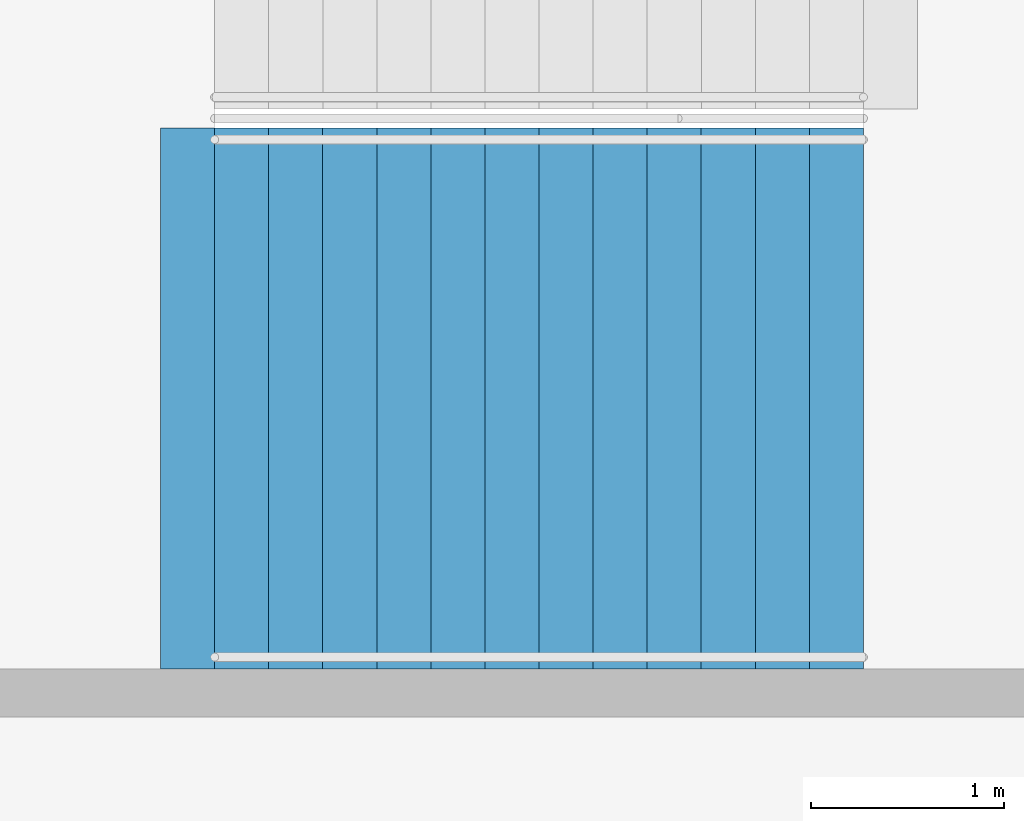
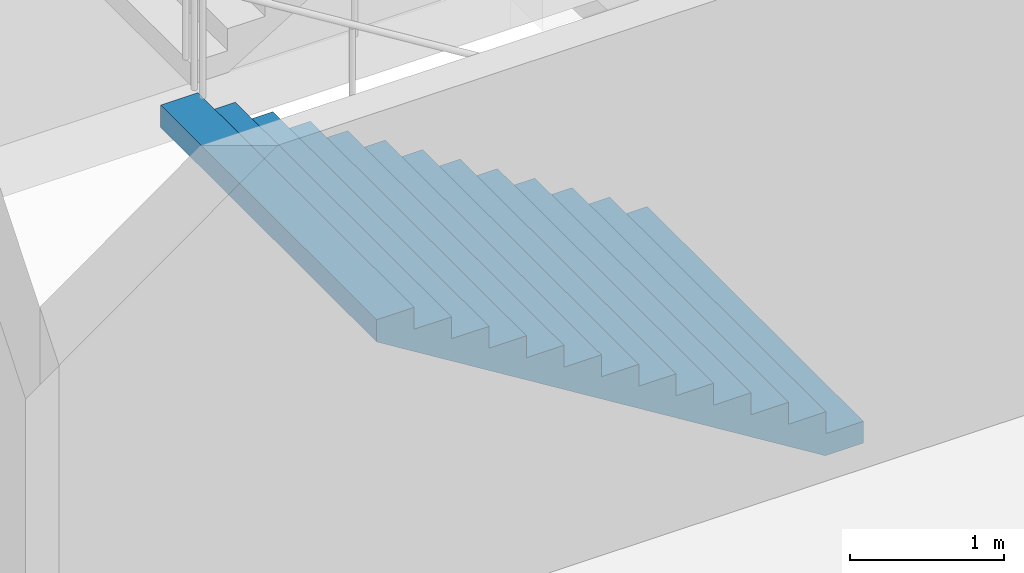
# One storey, part 94 of 177: 1 stair flight, 1 element without a shape of its own.
"""IFC4 building model written with IfcOpenShell, lengths in metres."""

from ifc_helpers import new_model, si_unit, direction, frame, origin, place, context, subcontext, project, spatial, faceted_brep, material, type_object, element, aggregate, save


model = new_model("IFC4")

# Units and contexts
model_context = context("Model", 3, precision=1e-05, world=origin(), true_north=direction((0.0, 1.0)))
body_context = subcontext(model_context, "Body", "Model", "MODEL_VIEW")
ifc_project = project(units=[si_unit("LENGTHUNIT", "METRE"), si_unit("AREAUNIT", "SQUARE_METRE"), si_unit("VOLUMEUNIT", "CUBIC_METRE"), si_unit("PLANEANGLEUNIT", "RADIAN"), si_unit("MASSUNIT", "GRAM", prefix="KILO")], contexts=[model_context])

# Site, building, storey
site_placement = place(None, origin())
site = spatial("IfcSite", under=ifc_project, at=site_placement, CompositionType="ELEMENT")
building_placement = place(site_placement, origin())
building = spatial("IfcBuilding", under=site, at=building_placement, Name="Ogive Plaza Stadium", CompositionType="ELEMENT")
storey_placement = place(building_placement, frame((0.0, 0.0, 18.0)))
storey = spatial("IfcBuildingStorey", under=building, at=storey_placement, Name="L04", CompositionType="ELEMENT", Elevation=18.0)

# Stair, stair flight
ifc_material_1 = material(Name="Concrete C40/50", Category="concrete")
stair_type = type_object("IfcStairType", Name="Exit stair", PredefinedType="STRAIGHT_RUN_STAIR", material=ifc_material_1)
stair_placement = place(storey_placement, origin())
stair = element("IfcStair", 1, at=stair_placement, inside=storey, type_object=stair_type, Name="Exit stair ST22B L04 to L05", PredefinedType="STRAIGHT_RUN_STAIR")
ifc_material_2 = material(Name="Concrete C40/50", Category="concrete")
stair_flight_type = type_object("IfcStairFlightType", Name="Exit stair flight", PredefinedType="STRAIGHT", material=ifc_material_2)
stair_flight_placement = place(storey_placement, frame((-76.35009765625, -41.925048828125, 0.0), z_axis=(0.0, 0.0, 1.0), x_axis=(-1.0, 0.0, 0.0)))
stair_flight = element("IfcStairFlight", 2, at=stair_flight_placement, type_object=stair_flight_type, Name="ST22B flight 1", NumberOfRisers=13, NumberOfTreads=12, PredefinedType="STRAIGHT", RiserHeight=0.173076923, TreadLength=0.28, context=body_context, shape_type="Brep", body=[
    faceted_brep([(0.28515625, -1.39990234375, 0.0), (3.639892578125, -1.39990234375, 2.07373046875), (3.639892578125, -1.39990234375, 2.25), (3.360107421875, -1.39990234375, 2.25), (3.360107421875, -1.39990234375, 2.076904296875), (3.080078125, -1.39990234375, 2.076904296875), (3.080078125, -1.39990234375, 1.90380859375), (2.800048828125, -1.39990234375, 1.90380859375), (2.800048828125, -1.39990234375, 1.730712890625), (2.52001953125, -1.39990234375, 1.730712890625), (2.52001953125, -1.39990234375, 1.5576171875), (2.239990234375, -1.39990234375, 1.5576171875), (2.239990234375, -1.39990234375, 1.384521484375), (1.9599609375, -1.39990234375, 1.384521484375), (1.9599609375, -1.39990234375, 1.21142578125), (1.679931640625, -1.39990234375, 1.21142578125), (1.679931640625, -1.39990234375, 1.03857421875), (1.39990234375, -1.39990234375, 1.03857421875), (1.39990234375, -1.39990234375, 0.865478515625), (1.1201171875, -1.39990234375, 0.865478515625), (1.1201171875, -1.39990234375, 0.6923828125), (0.840087890625, -1.39990234375, 0.6923828125), (0.840087890625, -1.39990234375, 0.519287109375), (0.56005859375, -1.39990234375, 0.519287109375), (0.56005859375, -1.39990234375, 0.34619140625), (0.280029296875, -1.39990234375, 0.34619140625), (0.280029296875, -1.39990234375, 0.173095703125), (0.0, -1.39990234375, 0.173095703125), (0.0, -1.39990234375, 0.0), (0.0, 1.39990234375, 0.0), (0.0, 1.39990234375, 0.173095703125), (0.280029296875, 1.39990234375, 0.173095703125), (0.280029296875, 1.39990234375, 0.34619140625), (0.56005859375, 1.39990234375, 0.34619140625), (0.56005859375, 1.39990234375, 0.519287109375), (0.840087890625, 1.39990234375, 0.519287109375), (0.840087890625, 1.39990234375, 0.6923828125), (1.1201171875, 1.39990234375, 0.6923828125), (1.1201171875, 1.39990234375, 0.865478515625), (1.39990234375, 1.39990234375, 0.865478515625), (1.39990234375, 1.39990234375, 1.03857421875), (1.679931640625, 1.39990234375, 1.03857421875), (1.679931640625, 1.39990234375, 1.21142578125), (1.9599609375, 1.39990234375, 1.21142578125), (1.9599609375, 1.39990234375, 1.384521484375), (2.239990234375, 1.39990234375, 1.384521484375), (2.239990234375, 1.39990234375, 1.5576171875), (2.52001953125, 1.39990234375, 1.5576171875), (2.52001953125, 1.39990234375, 1.730712890625), (2.800048828125, 1.39990234375, 1.730712890625), (2.800048828125, 1.39990234375, 1.90380859375), (3.080078125, 1.39990234375, 1.90380859375), (3.080078125, 1.39990234375, 2.076904296875), (3.360107421875, 1.39990234375, 2.076904296875), (3.360107421875, 1.39990234375, 2.25), (3.639892578125, 1.39990234375, 2.25), (3.639892578125, 1.39990234375, 2.07373046875), (0.28515625, 1.39990234375, 0.0), (0.28515625, -1.0888671875, 0.0), (3.639892578125, -1.0888671875, 2.07373046875), (0.28515625, -0.77783203125, 0.0), (3.639892578125, -0.77783203125, 2.07373046875), (0.28515625, -0.466796875, 0.0), (3.639892578125, -0.466796875, 2.07373046875), (0.28515625, -0.155517578125, 0.0), (3.639892578125, -0.155517578125, 2.07373046875), (0.28515625, 0.155517578125, 0.0), (3.639892578125, 0.155517578125, 2.07373046875), (0.28515625, 0.466796875, 0.0), (3.639892578125, 0.466796875, 2.07373046875), (0.28515625, 0.77783203125, 0.0), (3.639892578125, 0.77783203125, 2.07373046875), (0.28515625, 1.0888671875, 0.0), (3.639892578125, 1.0888671875, 2.07373046875), (3.639892578125, -1.0888671875, 2.25), (3.639892578125, -0.77783203125, 2.25), (3.639892578125, -0.466796875, 2.25), (3.639892578125, -0.155517578125, 2.25), (3.639892578125, 0.155517578125, 2.25), (3.639892578125, 0.466796875, 2.25), (3.639892578125, 0.77783203125, 2.25), (3.639892578125, 1.0888671875, 2.25), (3.360107421875, -1.0888671875, 2.25), (3.360107421875, -0.77783203125, 2.25), (3.360107421875, -0.466796875, 2.25), (3.360107421875, -0.155517578125, 2.25), (3.360107421875, 0.155517578125, 2.25), (3.360107421875, 0.466796875, 2.25), (3.360107421875, 0.77783203125, 2.25), (3.360107421875, 1.0888671875, 2.25), (3.360107421875, -1.0888671875, 2.076904296875), (3.360107421875, -0.77783203125, 2.076904296875), (3.360107421875, -0.466796875, 2.076904296875), (3.360107421875, -0.155517578125, 2.076904296875), (3.360107421875, 0.155517578125, 2.076904296875), (3.360107421875, 0.466796875, 2.076904296875), (3.360107421875, 0.77783203125, 2.076904296875), (3.360107421875, 1.0888671875, 2.076904296875), (3.080078125, -1.0888671875, 2.076904296875), (3.080078125, -0.77783203125, 2.076904296875), (3.080078125, -0.466796875, 2.076904296875), (3.080078125, -0.155517578125, 2.076904296875), (3.080078125, 0.155517578125, 2.076904296875), (3.080078125, 0.466796875, 2.076904296875), (3.080078125, 0.77783203125, 2.076904296875), (3.080078125, 1.0888671875, 2.076904296875), (3.080078125, -1.0888671875, 1.90380859375), (3.080078125, -0.77783203125, 1.90380859375), (3.080078125, -0.466796875, 1.90380859375), (3.080078125, -0.155517578125, 1.90380859375), (3.080078125, 0.155517578125, 1.90380859375), (3.080078125, 0.466796875, 1.90380859375), (3.080078125, 0.77783203125, 1.90380859375), (3.080078125, 1.0888671875, 1.90380859375), (2.800048828125, -1.0888671875, 1.90380859375), (2.800048828125, -0.77783203125, 1.90380859375), (2.800048828125, -0.466796875, 1.90380859375), (2.800048828125, -0.155517578125, 1.90380859375), (2.800048828125, 0.155517578125, 1.90380859375), (2.800048828125, 0.466796875, 1.90380859375), (2.800048828125, 0.77783203125, 1.90380859375), (2.800048828125, 1.0888671875, 1.90380859375), (2.800048828125, -1.0888671875, 1.730712890625), (2.800048828125, -0.77783203125, 1.730712890625), (2.800048828125, -0.466796875, 1.730712890625), (2.800048828125, -0.155517578125, 1.730712890625), (2.800048828125, 0.155517578125, 1.730712890625), (2.800048828125, 0.466796875, 1.730712890625), (2.800048828125, 0.77783203125, 1.730712890625), (2.800048828125, 1.0888671875, 1.730712890625), (2.52001953125, -1.0888671875, 1.730712890625), (2.52001953125, -0.77783203125, 1.730712890625), (2.52001953125, -0.466796875, 1.730712890625), (2.52001953125, -0.155517578125, 1.730712890625), (2.52001953125, 0.155517578125, 1.730712890625), (2.52001953125, 0.466796875, 1.730712890625), (2.52001953125, 0.77783203125, 1.730712890625), (2.52001953125, 1.0888671875, 1.730712890625), (2.52001953125, -1.0888671875, 1.5576171875), (2.52001953125, -0.77783203125, 1.5576171875), (2.52001953125, -0.466796875, 1.5576171875), (2.52001953125, -0.155517578125, 1.5576171875), (2.52001953125, 0.155517578125, 1.5576171875), (2.52001953125, 0.466796875, 1.5576171875), (2.52001953125, 0.77783203125, 1.5576171875), (2.52001953125, 1.0888671875, 1.5576171875), (2.239990234375, -1.0888671875, 1.5576171875), (2.239990234375, -0.77783203125, 1.5576171875), (2.239990234375, -0.466796875, 1.5576171875), (2.239990234375, -0.155517578125, 1.5576171875), (2.239990234375, 0.155517578125, 1.5576171875), (2.239990234375, 0.466796875, 1.5576171875), (2.239990234375, 0.77783203125, 1.5576171875), (2.239990234375, 1.0888671875, 1.5576171875), (2.239990234375, -1.0888671875, 1.384521484375), (2.239990234375, -0.77783203125, 1.384521484375), (2.239990234375, -0.466796875, 1.384521484375), (2.239990234375, -0.155517578125, 1.384521484375), (2.239990234375, 0.155517578125, 1.384521484375), (2.239990234375, 0.466796875, 1.384521484375), (2.239990234375, 0.77783203125, 1.384521484375), (2.239990234375, 1.0888671875, 1.384521484375), (1.9599609375, -1.0888671875, 1.384521484375), (1.9599609375, -0.77783203125, 1.384521484375), (1.9599609375, -0.466796875, 1.384521484375), (1.9599609375, -0.155517578125, 1.384521484375), (1.9599609375, 0.155517578125, 1.384521484375), (1.9599609375, 0.466796875, 1.384521484375), (1.9599609375, 0.77783203125, 1.384521484375), (1.9599609375, 1.0888671875, 1.384521484375), (1.9599609375, -1.0888671875, 1.21142578125), (1.9599609375, -0.77783203125, 1.21142578125), (1.9599609375, -0.466796875, 1.21142578125), (1.9599609375, -0.155517578125, 1.21142578125), (1.9599609375, 0.155517578125, 1.21142578125), (1.9599609375, 0.466796875, 1.21142578125), (1.9599609375, 0.77783203125, 1.21142578125), (1.9599609375, 1.0888671875, 1.21142578125), (1.679931640625, -1.0888671875, 1.21142578125), (1.679931640625, -0.77783203125, 1.21142578125), (1.679931640625, -0.466796875, 1.21142578125), (1.679931640625, -0.155517578125, 1.21142578125), (1.679931640625, 0.155517578125, 1.21142578125), (1.679931640625, 0.466796875, 1.21142578125), (1.679931640625, 0.77783203125, 1.21142578125), (1.679931640625, 1.0888671875, 1.21142578125), (1.679931640625, -1.0888671875, 1.03857421875), (1.679931640625, -0.77783203125, 1.03857421875), (1.679931640625, -0.466796875, 1.03857421875), (1.679931640625, -0.155517578125, 1.03857421875), (1.679931640625, 0.155517578125, 1.03857421875), (1.679931640625, 0.466796875, 1.03857421875), (1.679931640625, 0.77783203125, 1.03857421875), (1.679931640625, 1.0888671875, 1.03857421875), (1.39990234375, -1.0888671875, 1.03857421875), (1.39990234375, -0.77783203125, 1.03857421875), (1.39990234375, -0.466796875, 1.03857421875), (1.39990234375, -0.155517578125, 1.03857421875), (1.39990234375, 0.155517578125, 1.03857421875), (1.39990234375, 0.466796875, 1.03857421875), (1.39990234375, 0.77783203125, 1.03857421875), (1.39990234375, 1.0888671875, 1.03857421875), (1.39990234375, -1.0888671875, 0.865478515625), (1.39990234375, -0.77783203125, 0.865478515625), (1.39990234375, -0.466796875, 0.865478515625), (1.39990234375, -0.155517578125, 0.865478515625), (1.39990234375, 0.155517578125, 0.865478515625), (1.39990234375, 0.466796875, 0.865478515625), (1.39990234375, 0.77783203125, 0.865478515625), (1.39990234375, 1.0888671875, 0.865478515625), (1.1201171875, -1.0888671875, 0.865478515625), (1.1201171875, -0.77783203125, 0.865478515625), (1.1201171875, -0.466796875, 0.865478515625), (1.1201171875, -0.155517578125, 0.865478515625), (1.1201171875, 0.155517578125, 0.865478515625), (1.1201171875, 0.466796875, 0.865478515625), (1.1201171875, 0.77783203125, 0.865478515625), (1.1201171875, 1.0888671875, 0.865478515625), (1.1201171875, -1.0888671875, 0.6923828125), (1.1201171875, -0.77783203125, 0.6923828125), (1.1201171875, -0.466796875, 0.6923828125), (1.1201171875, -0.155517578125, 0.6923828125), (1.1201171875, 0.155517578125, 0.6923828125), (1.1201171875, 0.466796875, 0.6923828125), (1.1201171875, 0.77783203125, 0.6923828125), (1.1201171875, 1.0888671875, 0.6923828125), (0.840087890625, -1.0888671875, 0.6923828125), (0.840087890625, -0.77783203125, 0.6923828125), (0.840087890625, -0.466796875, 0.6923828125), (0.840087890625, -0.155517578125, 0.6923828125), (0.840087890625, 0.155517578125, 0.6923828125), (0.840087890625, 0.466796875, 0.6923828125), (0.840087890625, 0.77783203125, 0.6923828125), (0.840087890625, 1.0888671875, 0.6923828125), (0.840087890625, -1.0888671875, 0.519287109375), (0.840087890625, -0.77783203125, 0.519287109375), (0.840087890625, -0.466796875, 0.519287109375), (0.840087890625, -0.155517578125, 0.519287109375), (0.840087890625, 0.155517578125, 0.519287109375), (0.840087890625, 0.466796875, 0.519287109375), (0.840087890625, 0.77783203125, 0.519287109375), (0.840087890625, 1.0888671875, 0.519287109375), (0.56005859375, -1.0888671875, 0.519287109375), (0.56005859375, -0.77783203125, 0.519287109375), (0.56005859375, -0.466796875, 0.519287109375), (0.56005859375, -0.155517578125, 0.519287109375), (0.56005859375, 0.155517578125, 0.519287109375), (0.56005859375, 0.466796875, 0.519287109375), (0.56005859375, 0.77783203125, 0.519287109375), (0.56005859375, 1.0888671875, 0.519287109375), (0.56005859375, -1.0888671875, 0.34619140625), (0.56005859375, -0.77783203125, 0.34619140625), (0.56005859375, -0.466796875, 0.34619140625), (0.56005859375, -0.155517578125, 0.34619140625), (0.56005859375, 0.155517578125, 0.34619140625), (0.56005859375, 0.466796875, 0.34619140625), (0.56005859375, 0.77783203125, 0.34619140625), (0.56005859375, 1.0888671875, 0.34619140625), (0.280029296875, -1.0888671875, 0.34619140625), (0.280029296875, -0.77783203125, 0.34619140625), (0.280029296875, -0.466796875, 0.34619140625), (0.280029296875, -0.155517578125, 0.34619140625), (0.280029296875, 0.155517578125, 0.34619140625), (0.280029296875, 0.466796875, 0.34619140625), (0.280029296875, 0.77783203125, 0.34619140625), (0.280029296875, 1.0888671875, 0.34619140625), (0.280029296875, -1.0888671875, 0.173095703125), (0.280029296875, -0.77783203125, 0.173095703125), (0.280029296875, -0.466796875, 0.173095703125), (0.280029296875, -0.155517578125, 0.173095703125), (0.280029296875, 0.155517578125, 0.173095703125), (0.280029296875, 0.466796875, 0.173095703125), (0.280029296875, 0.77783203125, 0.173095703125), (0.280029296875, 1.0888671875, 0.173095703125), (0.0, -1.0888671875, 0.173095703125), (0.0, -0.77783203125, 0.173095703125), (0.0, -0.466796875, 0.173095703125), (0.0, -0.155517578125, 0.173095703125), (0.0, 0.155517578125, 0.173095703125), (0.0, 0.466796875, 0.173095703125), (0.0, 0.77783203125, 0.173095703125), (0.0, 1.0888671875, 0.173095703125), (0.0, -1.0888671875, 0.0), (0.0, -0.77783203125, 0.0), (0.0, -0.466796875, 0.0), (0.0, -0.155517578125, 0.0), (0.0, 0.155517578125, 0.0), (0.0, 0.466796875, 0.0), (0.0, 0.77783203125, 0.0), (0.0, 1.0888671875, 0.0)], [[[0, 1, 2, 3, 4, 5, 6, 7, 8, 9, 10, 11, 12, 13, 14, 15, 16, 17, 18, 19, 20, 21, 22, 23, 24, 25, 26, 27, 28]], [[29, 30, 31, 32, 33, 34, 35, 36, 37, 38, 39, 40, 41, 42, 43, 44, 45, 46, 47, 48, 49, 50, 51, 52, 53, 54, 55, 56, 57]], [[0, 58, 59, 1]], [[58, 60, 61, 59]], [[60, 62, 63, 61]], [[62, 64, 65, 63]], [[64, 66, 67, 65]], [[66, 68, 69, 67]], [[68, 70, 71, 69]], [[70, 72, 73, 71]], [[72, 57, 56, 73]], [[1, 59, 74, 2]], [[59, 61, 75, 74]], [[61, 63, 76, 75]], [[63, 65, 77, 76]], [[65, 67, 78, 77]], [[67, 69, 79, 78]], [[69, 71, 80, 79]], [[71, 73, 81, 80]], [[73, 56, 55, 81]], [[2, 74, 82, 3]], [[74, 75, 83, 82]], [[75, 76, 84, 83]], [[76, 77, 85, 84]], [[77, 78, 86, 85]], [[78, 79, 87, 86]], [[79, 80, 88, 87]], [[80, 81, 89, 88]], [[81, 55, 54, 89]], [[3, 82, 90, 4]], [[82, 83, 91, 90]], [[83, 84, 92, 91]], [[84, 85, 93, 92]], [[85, 86, 94, 93]], [[86, 87, 95, 94]], [[87, 88, 96, 95]], [[88, 89, 97, 96]], [[89, 54, 53, 97]], [[4, 90, 98, 5]], [[90, 91, 99, 98]], [[91, 92, 100, 99]], [[92, 93, 101, 100]], [[93, 94, 102, 101]], [[94, 95, 103, 102]], [[95, 96, 104, 103]], [[96, 97, 105, 104]], [[97, 53, 52, 105]], [[5, 98, 106, 6]], [[98, 99, 107, 106]], [[99, 100, 108, 107]], [[100, 101, 109, 108]], [[101, 102, 110, 109]], [[102, 103, 111, 110]], [[103, 104, 112, 111]], [[104, 105, 113, 112]], [[105, 52, 51, 113]], [[6, 106, 114, 7]], [[106, 107, 115, 114]], [[107, 108, 116, 115]], [[108, 109, 117, 116]], [[109, 110, 118, 117]], [[110, 111, 119, 118]], [[111, 112, 120, 119]], [[112, 113, 121, 120]], [[113, 51, 50, 121]], [[7, 114, 122, 8]], [[114, 115, 123, 122]], [[115, 116, 124, 123]], [[116, 117, 125, 124]], [[117, 118, 126, 125]], [[118, 119, 127, 126]], [[119, 120, 128, 127]], [[120, 121, 129, 128]], [[121, 50, 49, 129]], [[8, 122, 130, 9]], [[122, 123, 131, 130]], [[123, 124, 132, 131]], [[124, 125, 133, 132]], [[125, 126, 134, 133]], [[126, 127, 135, 134]], [[127, 128, 136, 135]], [[128, 129, 137, 136]], [[129, 49, 48, 137]], [[9, 130, 138, 10]], [[130, 131, 139, 138]], [[131, 132, 140, 139]], [[132, 133, 141, 140]], [[133, 134, 142, 141]], [[134, 135, 143, 142]], [[135, 136, 144, 143]], [[136, 137, 145, 144]], [[137, 48, 47, 145]], [[10, 138, 146, 11]], [[138, 139, 147, 146]], [[139, 140, 148, 147]], [[140, 141, 149, 148]], [[141, 142, 150, 149]], [[142, 143, 151, 150]], [[143, 144, 152, 151]], [[144, 145, 153, 152]], [[145, 47, 46, 153]], [[11, 146, 154, 12]], [[146, 147, 155, 154]], [[147, 148, 156, 155]], [[148, 149, 157, 156]], [[149, 150, 158, 157]], [[150, 151, 159, 158]], [[151, 152, 160, 159]], [[152, 153, 161, 160]], [[153, 46, 45, 161]], [[12, 154, 162, 13]], [[154, 155, 163, 162]], [[155, 156, 164, 163]], [[156, 157, 165, 164]], [[157, 158, 166, 165]], [[158, 159, 167, 166]], [[159, 160, 168, 167]], [[160, 161, 169, 168]], [[161, 45, 44, 169]], [[13, 162, 170, 14]], [[162, 163, 171, 170]], [[163, 164, 172, 171]], [[164, 165, 173, 172]], [[165, 166, 174, 173]], [[166, 167, 175, 174]], [[167, 168, 176, 175]], [[168, 169, 177, 176]], [[169, 44, 43, 177]], [[14, 170, 178, 15]], [[170, 171, 179, 178]], [[171, 172, 180, 179]], [[172, 173, 181, 180]], [[173, 174, 182, 181]], [[174, 175, 183, 182]], [[175, 176, 184, 183]], [[176, 177, 185, 184]], [[177, 43, 42, 185]], [[15, 178, 186, 16]], [[178, 179, 187, 186]], [[179, 180, 188, 187]], [[180, 181, 189, 188]], [[181, 182, 190, 189]], [[182, 183, 191, 190]], [[183, 184, 192, 191]], [[184, 185, 193, 192]], [[185, 42, 41, 193]], [[16, 186, 194, 17]], [[186, 187, 195, 194]], [[187, 188, 196, 195]], [[188, 189, 197, 196]], [[189, 190, 198, 197]], [[190, 191, 199, 198]], [[191, 192, 200, 199]], [[192, 193, 201, 200]], [[193, 41, 40, 201]], [[17, 194, 202, 18]], [[194, 195, 203, 202]], [[195, 196, 204, 203]], [[196, 197, 205, 204]], [[197, 198, 206, 205]], [[198, 199, 207, 206]], [[199, 200, 208, 207]], [[200, 201, 209, 208]], [[201, 40, 39, 209]], [[18, 202, 210, 19]], [[202, 203, 211, 210]], [[203, 204, 212, 211]], [[204, 205, 213, 212]], [[205, 206, 214, 213]], [[206, 207, 215, 214]], [[207, 208, 216, 215]], [[208, 209, 217, 216]], [[209, 39, 38, 217]], [[19, 210, 218, 20]], [[210, 211, 219, 218]], [[211, 212, 220, 219]], [[212, 213, 221, 220]], [[213, 214, 222, 221]], [[214, 215, 223, 222]], [[215, 216, 224, 223]], [[216, 217, 225, 224]], [[217, 38, 37, 225]], [[20, 218, 226, 21]], [[218, 219, 227, 226]], [[219, 220, 228, 227]], [[220, 221, 229, 228]], [[221, 222, 230, 229]], [[222, 223, 231, 230]], [[223, 224, 232, 231]], [[224, 225, 233, 232]], [[225, 37, 36, 233]], [[21, 226, 234, 22]], [[226, 227, 235, 234]], [[227, 228, 236, 235]], [[228, 229, 237, 236]], [[229, 230, 238, 237]], [[230, 231, 239, 238]], [[231, 232, 240, 239]], [[232, 233, 241, 240]], [[233, 36, 35, 241]], [[22, 234, 242, 23]], [[234, 235, 243, 242]], [[235, 236, 244, 243]], [[236, 237, 245, 244]], [[237, 238, 246, 245]], [[238, 239, 247, 246]], [[239, 240, 248, 247]], [[240, 241, 249, 248]], [[241, 35, 34, 249]], [[23, 242, 250, 24]], [[242, 243, 251, 250]], [[243, 244, 252, 251]], [[244, 245, 253, 252]], [[245, 246, 254, 253]], [[246, 247, 255, 254]], [[247, 248, 256, 255]], [[248, 249, 257, 256]], [[249, 34, 33, 257]], [[24, 250, 258, 25]], [[250, 251, 259, 258]], [[251, 252, 260, 259]], [[252, 253, 261, 260]], [[253, 254, 262, 261]], [[254, 255, 263, 262]], [[255, 256, 264, 263]], [[256, 257, 265, 264]], [[257, 33, 32, 265]], [[25, 258, 266, 26]], [[258, 259, 267, 266]], [[259, 260, 268, 267]], [[260, 261, 269, 268]], [[261, 262, 270, 269]], [[262, 263, 271, 270]], [[263, 264, 272, 271]], [[264, 265, 273, 272]], [[265, 32, 31, 273]], [[26, 266, 274, 27]], [[266, 267, 275, 274]], [[267, 268, 276, 275]], [[268, 269, 277, 276]], [[269, 270, 278, 277]], [[270, 271, 279, 278]], [[271, 272, 280, 279]], [[272, 273, 281, 280]], [[273, 31, 30, 281]], [[27, 274, 282, 28]], [[274, 275, 283, 282]], [[275, 276, 284, 283]], [[276, 277, 285, 284]], [[277, 278, 286, 285]], [[278, 279, 287, 286]], [[279, 280, 288, 287]], [[280, 281, 289, 288]], [[281, 30, 29, 289]], [[28, 282, 58, 0]], [[282, 283, 60, 58]], [[283, 284, 62, 60]], [[284, 285, 64, 62]], [[285, 286, 66, 64]], [[286, 287, 68, 66]], [[287, 288, 70, 68]], [[288, 289, 72, 70]], [[289, 29, 57, 72]]]),
])
aggregate(stair, [stair_flight])

save(model, "model.ifc")
